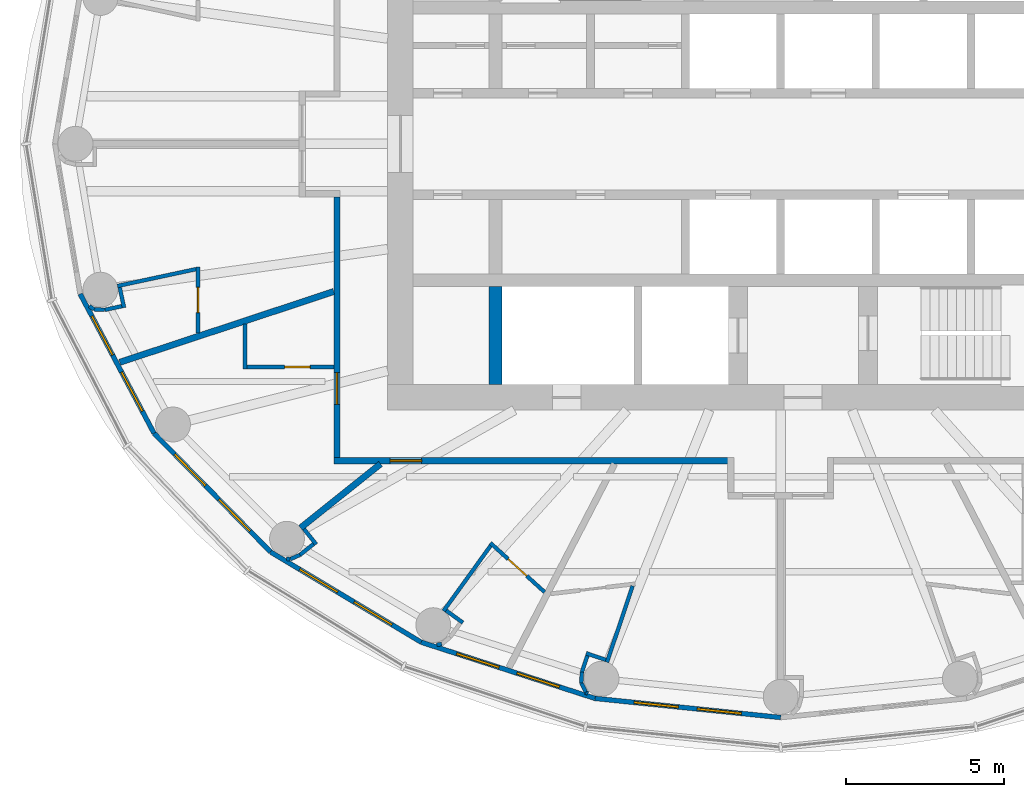
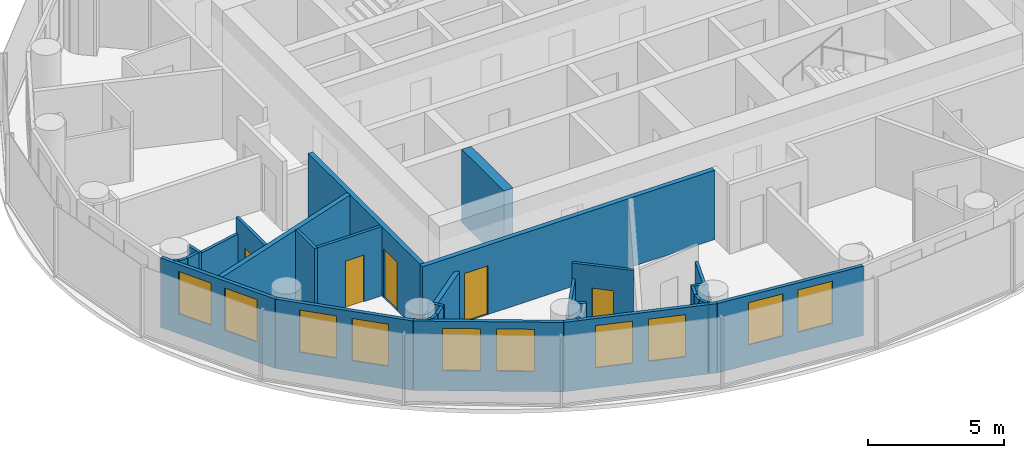
# One storey, part 6 of 13: 32 walls, 10 windows, 5 doors, 15 openings.
"""IFC4 building model written with IfcOpenShell, lengths in metres."""

from ifc_helpers import new_model, si_unit, direction, frame, frame_2d, origin, place, context, subcontext, project, spatial, rectangle, extrude, material, layer, layer_set, type_object, element, fill, save


model = new_model("IFC4")

# Units and contexts
model_context = context("Model", 3, precision=1e-05, world=origin(), true_north=direction((0.0, 1.0)))
body_context = subcontext(model_context, "Body", "Model", "MODEL_VIEW")
ifc_project = project(units=[si_unit("LENGTHUNIT", "METRE"), si_unit("AREAUNIT", "SQUARE_METRE"), si_unit("VOLUMEUNIT", "CUBIC_METRE"), si_unit("PLANEANGLEUNIT", "RADIAN"), si_unit("MASSUNIT", "GRAM", prefix="KILO")], contexts=[model_context])

# Site, building, storey
site_placement = place(None, origin())
site = spatial("IfcSite", under=ifc_project, at=site_placement, CompositionType="ELEMENT")
building_placement = place(site_placement, origin())
building = spatial("IfcBuilding", under=site, at=building_placement, Name="Hankou Lantern Tower", CompositionType="ELEMENT")
storey_placement = place(building_placement, frame((0.0, 0.0, 159.89990234375)))
storey = spatial("IfcBuildingStorey", under=building, at=storey_placement, Name="L42", CompositionType="ELEMENT", Elevation=159.89990234375)

# Wall
ifc_material_1 = material(Name="Concrete C60", Category="concrete")
ifc_layer_1 = layer(ifc_material_1, 0.39990234375)
ifc_layer_set_1 = layer_set([ifc_layer_1], Name="Concrete C60")
wall_type_1 = type_object("IfcWallType", Name="CW4 CORE CROSS WALL 400", PredefinedType="SHEAR", material=ifc_layer_set_1)
wall_1_placement = place(storey_placement, frame((-9.0, -7.60009765625, 0.0), z_axis=(0.0, 0.0, 1.0), x_axis=(0.0, 1.0, 0.0)))
element("IfcWall", 1, at=wall_1_placement, inside=storey, type_object=wall_type_1, Name="Core strip wall L42", PredefinedType="SHEAR", context=body_context, shape_type="SweptSolid", body=[
    extrude(rectangle(XDim=3.10009765625, YDim=0.39990234375, at=frame_2d((1.550048828125, 0.0))), origin(), (0.0, 0.0, 1.0), 3.300048828125),
])

# Wall, openings, windows
ifc_material_2 = material(Name="Aluminium spandrel panel on steel studs", Category="steel")
ifc_layer_2 = layer(ifc_material_2, 0.14990234375)
ifc_layer_set_2 = layer_set([ifc_layer_2], Name="Aluminium spandrel panel on steel studs")
wall_type_2 = type_object("IfcWallType", Name="EW1 INNER SKIN WALL 150", PredefinedType="ELEMENTEDWALL", material=ifc_layer_set_2)
wall_2_placement = place(storey_placement, frame((-22.1015625, -4.73779296875, 0.0), z_axis=(0.0, 0.0, 1.0), x_axis=(0.468428906714, -0.883501193748, 0.0)))
wall_2 = element("IfcWall", 2, at=wall_2_placement, inside=storey, type_object=wall_type_2, Name="Inner skin R14-R15 L42", PredefinedType="ELEMENTEDWALL", context=body_context, shape_type="SweptSolid", body=[
    extrude(rectangle(XDim=4.9736328125, YDim=0.14990234375, at=frame_2d((2.48681640625, 0.0))), origin(), (0.0, 0.0, 1.0), 3.1201171875),
])
opening_1_placement = place(wall_2_placement, frame((0.786865234375, 0.0, 0.89990234375)))
opening_1 = element("IfcOpeningElement", 3, at=opening_1_placement, cuts=wall_2, Name="Opening W3", PredefinedType="OPENING", context=body_context, shape_type="SweptSolid", body=[
    extrude(rectangle(XDim=1.39990234375, YDim=1.89990234375, at=frame_2d((0.699951171875, 0.949951171875))), frame((0.0, 0.0849609375, 0.0), z_axis=(0.0, -1.0, 0.0), x_axis=(1.0, 0.0, 0.0)), (0.0, 0.0, 1.0), 0.169921875),
])
opening_2_placement = place(wall_2_placement, frame((2.786865234375, 0.0, 0.89990234375)))
opening_2 = element("IfcOpeningElement", 4, at=opening_2_placement, cuts=wall_2, Name="Opening W3", PredefinedType="OPENING", context=body_context, shape_type="SweptSolid", body=[
    extrude(rectangle(XDim=1.39990234375, YDim=1.89990234375, at=frame_2d((0.699951171875, 0.949951171875))), frame((0.0, 0.0849609375, 0.0), z_axis=(0.0, -1.0, 0.0), x_axis=(1.0, 0.0, 0.0)), (0.0, 0.0, 1.0), 0.169921875),
])
ifc_material_3 = material(Name="Aluminium framed double glazed window", Category="aluminium")
window_type = type_object("IfcWindowType", Name="W3 GUEST ROOM WINDOW 1400X1900", PartitioningType="DOUBLE_PANEL_VERTICAL", PredefinedType="WINDOW", material=ifc_material_3)
window_1_placement = place(opening_1_placement, origin())
window_1 = element("IfcWindow", 5, at=window_1_placement, inside=storey, type_object=window_type, Name="Window R14.1 L42", OverallHeight=1.89990234375, OverallWidth=1.39990234375, PartitioningType="SINGLE_PANEL", PredefinedType="WINDOW", context=body_context, shape_type="SweptSolid", body=[
    extrude(rectangle(XDim=1.39990234375, YDim=1.89990234375, at=frame_2d((0.699951171875, 0.949951171875))), frame((0.0, 0.030029296875, 0.0), z_axis=(0.0, -1.0, 0.0), x_axis=(1.0, 0.0, 0.0)), (0.0, 0.0, 1.0), 0.06005859375),
])
fill(opening_1, window_1)
window_2_placement = place(opening_2_placement, origin())
window_2 = element("IfcWindow", 6, at=window_2_placement, inside=storey, type_object=window_type, Name="Window R14.2 L42", OverallHeight=1.89990234375, OverallWidth=1.39990234375, PartitioningType="SINGLE_PANEL", PredefinedType="WINDOW", context=body_context, shape_type="SweptSolid", body=[
    extrude(rectangle(XDim=1.39990234375, YDim=1.89990234375, at=frame_2d((0.699951171875, 0.949951171875))), frame((0.0, 0.030029296875, 0.0), z_axis=(0.0, -1.0, 0.0), x_axis=(1.0, 0.0, 0.0)), (0.0, 0.0, 1.0), 0.06005859375),
])
fill(opening_2, window_2)

wall_3_placement = place(storey_placement, frame((-19.771728515625, -9.132080078125, 0.0), z_axis=(0.0, 0.0, 1.0), x_axis=(0.700727467776, -0.71342905457, 0.0)))
wall_3 = element("IfcWall", 7, at=wall_3_placement, inside=storey, type_object=wall_type_2, Name="Inner skin R15-R16 L42", PredefinedType="ELEMENTEDWALL", context=body_context, shape_type="SweptSolid", body=[
    extrude(rectangle(XDim=5.247314453125, YDim=0.14990234375, at=frame_2d((2.62353515625, 0.0))), origin(), (0.0, 0.0, 1.0), 3.1201171875),
])
opening_3_placement = place(wall_3_placement, frame((0.923583984375, 0.0, 0.89990234375)))
opening_3 = element("IfcOpeningElement", 8, at=opening_3_placement, cuts=wall_3, Name="Opening W3", PredefinedType="OPENING", context=body_context, shape_type="SweptSolid", body=[
    extrude(rectangle(XDim=1.39990234375, YDim=1.89990234375, at=frame_2d((0.699951171875, 0.949951171875))), frame((0.0, 0.0849609375, 0.0), z_axis=(0.0, -1.0, 0.0), x_axis=(1.0, 0.0, 0.0)), (0.0, 0.0, 1.0), 0.169921875),
])
opening_4_placement = place(wall_3_placement, frame((2.923583984375, 0.0, 0.89990234375)))
opening_4 = element("IfcOpeningElement", 9, at=opening_4_placement, cuts=wall_3, Name="Opening W3", PredefinedType="OPENING", context=body_context, shape_type="SweptSolid", body=[
    extrude(rectangle(XDim=1.39990234375, YDim=1.89990234375, at=frame_2d((0.699951171875, 0.949951171875))), frame((0.0, 0.0849609375, 0.0), z_axis=(0.0, -1.0, 0.0), x_axis=(1.0, 0.0, 0.0)), (0.0, 0.0, 1.0), 0.169921875),
])
window_3_placement = place(opening_3_placement, origin())
window_3 = element("IfcWindow", 10, at=window_3_placement, inside=storey, type_object=window_type, Name="Window R15.1 L42", OverallHeight=1.89990234375, OverallWidth=1.39990234375, PartitioningType="SINGLE_PANEL", PredefinedType="WINDOW", context=body_context, shape_type="SweptSolid", body=[
    extrude(rectangle(XDim=1.39990234375, YDim=1.89990234375, at=frame_2d((0.699951171875, 0.949951171875))), frame((0.0, 0.030029296875, 0.0), z_axis=(0.0, -1.0, 0.0), x_axis=(1.0, 0.0, 0.0)), (0.0, 0.0, 1.0), 0.06005859375),
])
fill(opening_3, window_3)
window_4_placement = place(opening_4_placement, origin())
window_4 = element("IfcWindow", 11, at=window_4_placement, inside=storey, type_object=window_type, Name="Window R15.2 L42", OverallHeight=1.89990234375, OverallWidth=1.39990234375, PartitioningType="SINGLE_PANEL", PredefinedType="WINDOW", context=body_context, shape_type="SweptSolid", body=[
    extrude(rectangle(XDim=1.39990234375, YDim=1.89990234375, at=frame_2d((0.699951171875, 0.949951171875))), frame((0.0, 0.030029296875, 0.0), z_axis=(0.0, -1.0, 0.0), x_axis=(1.0, 0.0, 0.0)), (0.0, 0.0, 1.0), 0.06005859375),
])
fill(opening_4, window_4)

wall_4_placement = place(storey_placement, frame((-16.0947265625, -12.875732421875, 0.0), z_axis=(0.0, 0.0, 1.0), x_axis=(0.857695199231, -0.514158482587, 0.0)))
wall_4 = element("IfcWall", 12, at=wall_4_placement, inside=storey, type_object=wall_type_2, Name="Inner skin R16-R17 L42", PredefinedType="ELEMENTEDWALL", context=body_context, shape_type="SweptSolid", body=[
    extrude(rectangle(XDim=5.5361328125, YDim=0.14990234375, at=frame_2d((2.76806640625, 0.0))), origin(), (0.0, 0.0, 1.0), 3.1201171875),
])
opening_5_placement = place(wall_4_placement, frame((1.068115234375, 0.0, 0.89990234375)))
opening_5 = element("IfcOpeningElement", 13, at=opening_5_placement, cuts=wall_4, Name="Opening W3", PredefinedType="OPENING", context=body_context, shape_type="SweptSolid", body=[
    extrude(rectangle(XDim=1.39990234375, YDim=1.89990234375, at=frame_2d((0.699951171875, 0.949951171875))), frame((0.0, 0.0849609375, 0.0), z_axis=(0.0, -1.0, 0.0), x_axis=(1.0, 0.0, 0.0)), (0.0, 0.0, 1.0), 0.169921875),
])
opening_6_placement = place(wall_4_placement, frame((3.068115234375, 0.0, 0.89990234375)))
opening_6 = element("IfcOpeningElement", 14, at=opening_6_placement, cuts=wall_4, Name="Opening W3", PredefinedType="OPENING", context=body_context, shape_type="SweptSolid", body=[
    extrude(rectangle(XDim=1.39990234375, YDim=1.89990234375, at=frame_2d((0.699951171875, 0.949951171875))), frame((0.0, 0.0849609375, 0.0), z_axis=(0.0, -1.0, 0.0), x_axis=(1.0, 0.0, 0.0)), (0.0, 0.0, 1.0), 0.169921875),
])
window_5_placement = place(opening_5_placement, origin())
window_5 = element("IfcWindow", 15, at=window_5_placement, inside=storey, type_object=window_type, Name="Window R16.1 L42", OverallHeight=1.89990234375, OverallWidth=1.39990234375, PartitioningType="SINGLE_PANEL", PredefinedType="WINDOW", context=body_context, shape_type="SweptSolid", body=[
    extrude(rectangle(XDim=1.39990234375, YDim=1.89990234375, at=frame_2d((0.699951171875, 0.949951171875))), frame((0.0, 0.030029296875, 0.0), z_axis=(0.0, -1.0, 0.0), x_axis=(1.0, 0.0, 0.0)), (0.0, 0.0, 1.0), 0.06005859375),
])
fill(opening_5, window_5)
window_6_placement = place(opening_6_placement, origin())
window_6 = element("IfcWindow", 16, at=window_6_placement, inside=storey, type_object=window_type, Name="Window R16.2 L42", OverallHeight=1.89990234375, OverallWidth=1.39990234375, PartitioningType="SINGLE_PANEL", PredefinedType="WINDOW", context=body_context, shape_type="SweptSolid", body=[
    extrude(rectangle(XDim=1.39990234375, YDim=1.89990234375, at=frame_2d((0.699951171875, 0.949951171875))), frame((0.0, 0.030029296875, 0.0), z_axis=(0.0, -1.0, 0.0), x_axis=(1.0, 0.0, 0.0)), (0.0, 0.0, 1.0), 0.06005859375),
])
fill(opening_6, window_6)

wall_5_placement = place(storey_placement, frame((-11.346435546875, -15.72216796875, 0.0), z_axis=(0.0, 0.0, 1.0), x_axis=(0.951432482129, -0.307857486429, 0.0)))
wall_5 = element("IfcWall", 17, at=wall_5_placement, inside=storey, type_object=wall_type_2, Name="Inner skin R17-R18 L42", PredefinedType="ELEMENTEDWALL", context=body_context, shape_type="SweptSolid", body=[
    extrude(rectangle(XDim=5.76611328125, YDim=0.14990234375, at=frame_2d((2.883056640625, 0.0))), origin(), (0.0, 0.0, 1.0), 3.1201171875),
])
opening_7_placement = place(wall_5_placement, frame((1.18310546875, 0.0, 0.89990234375)))
opening_7 = element("IfcOpeningElement", 18, at=opening_7_placement, cuts=wall_5, Name="Opening W3", PredefinedType="OPENING", context=body_context, shape_type="SweptSolid", body=[
    extrude(rectangle(XDim=1.39990234375, YDim=1.89990234375, at=frame_2d((0.699951171875, 0.949951171875))), frame((0.0, 0.0849609375, 0.0), z_axis=(0.0, -1.0, 0.0), x_axis=(1.0, 0.0, 0.0)), (0.0, 0.0, 1.0), 0.169921875),
])
opening_8_placement = place(wall_5_placement, frame((3.18310546875, 0.0, 0.89990234375)))
opening_8 = element("IfcOpeningElement", 19, at=opening_8_placement, cuts=wall_5, Name="Opening W3", PredefinedType="OPENING", context=body_context, shape_type="SweptSolid", body=[
    extrude(rectangle(XDim=1.39990234375, YDim=1.89990234375, at=frame_2d((0.699951171875, 0.949951171875))), frame((0.0, 0.0849609375, 0.0), z_axis=(0.0, -1.0, 0.0), x_axis=(1.0, 0.0, 0.0)), (0.0, 0.0, 1.0), 0.169921875),
])
window_7_placement = place(opening_7_placement, origin())
window_7 = element("IfcWindow", 20, at=window_7_placement, inside=storey, type_object=window_type, Name="Window R17.1 L42", OverallHeight=1.89990234375, OverallWidth=1.39990234375, PartitioningType="SINGLE_PANEL", PredefinedType="WINDOW", context=body_context, shape_type="SweptSolid", body=[
    extrude(rectangle(XDim=1.39990234375, YDim=1.89990234375, at=frame_2d((0.699951171875, 0.949951171875))), frame((0.0, 0.030029296875, 0.0), z_axis=(0.0, -1.0, 0.0), x_axis=(1.0, 0.0, 0.0)), (0.0, 0.0, 1.0), 0.06005859375),
])
fill(opening_7, window_7)
window_8_placement = place(opening_8_placement, origin())
window_8 = element("IfcWindow", 21, at=window_8_placement, inside=storey, type_object=window_type, Name="Window R17.2 L42", OverallHeight=1.89990234375, OverallWidth=1.39990234375, PartitioningType="SINGLE_PANEL", PredefinedType="WINDOW", context=body_context, shape_type="SweptSolid", body=[
    extrude(rectangle(XDim=1.39990234375, YDim=1.89990234375, at=frame_2d((0.699951171875, 0.949951171875))), frame((0.0, 0.030029296875, 0.0), z_axis=(0.0, -1.0, 0.0), x_axis=(1.0, 0.0, 0.0)), (0.0, 0.0, 1.0), 0.06005859375),
])
fill(opening_8, window_8)

wall_6_placement = place(storey_placement, frame((-5.8603515625, -17.497314453125, 0.0), z_axis=(0.0, 0.0, 1.0), x_axis=(0.994751738032, -0.102318032045, 0.0)))
wall_6 = element("IfcWall", 22, at=wall_6_placement, inside=storey, type_object=wall_type_2, Name="Inner skin R18-R19 L42", PredefinedType="ELEMENTEDWALL", context=body_context, shape_type="SweptSolid", body=[
    extrude(rectangle(XDim=5.891357421875, YDim=0.14990234375, at=frame_2d((2.94580078125, 0.0))), origin(), (0.0, 0.0, 1.0), 3.1201171875),
])
opening_9_placement = place(wall_6_placement, frame((1.24560546875, 0.0, 0.89990234375)))
opening_9 = element("IfcOpeningElement", 23, at=opening_9_placement, cuts=wall_6, Name="Opening W3", PredefinedType="OPENING", context=body_context, shape_type="SweptSolid", body=[
    extrude(rectangle(XDim=1.39990234375, YDim=1.89990234375, at=frame_2d((0.699951171875, 0.949951171875))), frame((0.0, 0.0849609375, 0.0), z_axis=(0.0, -1.0, 0.0), x_axis=(1.0, 0.0, 0.0)), (0.0, 0.0, 1.0), 0.169921875),
])
opening_10_placement = place(wall_6_placement, frame((3.24560546875, 0.0, 0.89990234375)))
opening_10 = element("IfcOpeningElement", 24, at=opening_10_placement, cuts=wall_6, Name="Opening W3", PredefinedType="OPENING", context=body_context, shape_type="SweptSolid", body=[
    extrude(rectangle(XDim=1.39990234375, YDim=1.89990234375, at=frame_2d((0.699951171875, 0.949951171875))), frame((0.0, 0.0849609375, 0.0), z_axis=(0.0, -1.0, 0.0), x_axis=(1.0, 0.0, 0.0)), (0.0, 0.0, 1.0), 0.169921875),
])
window_9_placement = place(opening_9_placement, origin())
window_9 = element("IfcWindow", 25, at=window_9_placement, inside=storey, type_object=window_type, Name="Window R18.1 L42", OverallHeight=1.89990234375, OverallWidth=1.39990234375, PartitioningType="SINGLE_PANEL", PredefinedType="WINDOW", context=body_context, shape_type="SweptSolid", body=[
    extrude(rectangle(XDim=1.39990234375, YDim=1.89990234375, at=frame_2d((0.699951171875, 0.949951171875))), frame((0.0, 0.030029296875, 0.0), z_axis=(0.0, -1.0, 0.0), x_axis=(1.0, 0.0, 0.0)), (0.0, 0.0, 1.0), 0.06005859375),
])
fill(opening_9, window_9)
window_10_placement = place(opening_10_placement, origin())
window_10 = element("IfcWindow", 26, at=window_10_placement, inside=storey, type_object=window_type, Name="Window R18.2 L42", OverallHeight=1.89990234375, OverallWidth=1.39990234375, PartitioningType="SINGLE_PANEL", PredefinedType="WINDOW", context=body_context, shape_type="SweptSolid", body=[
    extrude(rectangle(XDim=1.39990234375, YDim=1.89990234375, at=frame_2d((0.699951171875, 0.949951171875))), frame((0.0, 0.030029296875, 0.0), z_axis=(0.0, -1.0, 0.0), x_axis=(1.0, 0.0, 0.0)), (0.0, 0.0, 1.0), 0.06005859375),
])
fill(opening_10, window_10)

# Walls
ifc_material_4 = material(Name="Masonry lightweight concrete block", Category="masonry")
ifc_layer_3 = layer(ifc_material_4, 0.199951171875)
ifc_layer_set_3 = layer_set([ifc_layer_3], Name="Masonry lightweight concrete block")
wall_type_3 = type_object("IfcWallType", Name="IW1 GUEST ROOM PARTY WALL 200", PredefinedType="PARTITIONING", material=ifc_layer_set_3)
wall_7_placement = place(storey_placement, frame((-14.10009765625, -4.661376953125, 0.0), z_axis=(0.0, 0.0, 1.0), x_axis=(-0.949453216399, -0.313908569285, 0.0)))
element("IfcWall", 27, at=wall_7_placement, inside=storey, type_object=wall_type_3, Name="Party wall R14-R15", PredefinedType="PARTITIONING", context=body_context, shape_type="SweptSolid", body=[
    extrude(rectangle(XDim=7.108642578125, YDim=0.199951171875, at=frame_2d((3.55419921875, 0.0))), origin(), (0.0, 0.0, 1.0), 3.1201171875),
])
wall_8_placement = place(storey_placement, frame((-12.625, -10.10009765625, 0.0), z_axis=(0.0, 0.0, 1.0), x_axis=(-0.780876185034, -0.624685827954, 0.0)))
element("IfcWall", 28, at=wall_8_placement, inside=storey, type_object=wall_type_3, Name="Party wall R16", PredefinedType="PARTITIONING", context=body_context, shape_type="SweptSolid", body=[
    extrude(rectangle(XDim=3.229248046875, YDim=0.199951171875, at=frame_2d((1.61474609375, 0.0))), origin(), (0.0, 0.0, 1.0), 2.420166015625),
])

# Wall, opening, door
ifc_material_5 = material(Name="Masonry lightweight concrete block", Category="masonry")
ifc_layer_4 = layer(ifc_material_5, 0.199951171875)
ifc_layer_set_4 = layer_set([ifc_layer_4], Name="Masonry lightweight concrete block")
wall_type_4 = type_object("IfcWallType", Name="IW2 CORRIDOR WALL 200", PredefinedType="PARTITIONING", material=ifc_layer_set_4)
wall_9_placement = place(storey_placement, frame((-14.0, -1.669921875, 0.0), z_axis=(0.0, 0.0, 1.0), x_axis=(0.0, -1.0, 0.0)))
wall_9 = element("IfcWall", 29, at=wall_9_placement, inside=storey, type_object=wall_type_4, Name="Corridor wall west", PredefinedType="PARTITIONING", context=body_context, shape_type="SweptSolid", body=[
    extrude(rectangle(XDim=8.22998046875, YDim=0.199951171875, at=frame_2d((4.114990234375, 0.0))), origin(), (0.0, 0.0, 1.0), 3.1201171875),
])
opening_11_placement = place(wall_9_placement, frame((5.551513671875, 0.0, 0.0)))
opening_11 = element("IfcOpeningElement", 30, at=opening_11_placement, cuts=wall_9, Name="Opening D1", PredefinedType="OPENING", context=body_context, shape_type="SweptSolid", body=[
    extrude(rectangle(XDim=1.0, YDim=2.199951171875, at=frame_2d((0.5, 1.10009765625))), frame((0.0, 0.10986328125, 0.0), z_axis=(0.0, -1.0, 0.0), x_axis=(1.0, 0.0, 0.0)), (0.0, 0.0, 1.0), 0.219970703125),
])
ifc_material_6 = material(Name="Steel door leaf", Category="steel")
door_type_1 = type_object("IfcDoorType", Name="D1 GUEST ROOM DOOR 1000X2200", OperationType="SINGLE_SWING_LEFT", PredefinedType="DOOR", material=ifc_material_6)
door_1_placement = place(opening_11_placement, origin())
door_1 = element("IfcDoor", 31, at=door_1_placement, inside=storey, type_object=door_type_1, Name="Guest room door 4205", OperationType="SINGLE_SWING_RIGHT", OverallHeight=2.199951171875, OverallWidth=1.0, PredefinedType="DOOR", context=body_context, shape_type="SweptSolid", body=[
    extrude(rectangle(XDim=1.0, YDim=2.199951171875, at=frame_2d((0.5, 1.10009765625))), frame((0.0, 0.02490234375, 0.0), z_axis=(0.0, -1.0, 0.0), x_axis=(1.0, 0.0, 0.0)), (0.0, 0.0, 1.0), 0.050048828125),
])
fill(opening_11, door_1)

wall_10_placement = place(storey_placement, frame((-1.669921875, -10.0, 0.0), z_axis=(0.0, 0.0, 1.0), x_axis=(-1.0, 0.0, 0.0)))
wall_10 = element("IfcWall", 32, at=wall_10_placement, inside=storey, type_object=wall_type_4, Name="Corridor wall south", PredefinedType="PARTITIONING", context=body_context, shape_type="SweptSolid", body=[
    extrude(rectangle(XDim=12.43017578125, YDim=0.199951171875, at=frame_2d((6.215087890625, 0.0))), origin(), (0.0, 0.0, 1.0), 3.1201171875),
])
opening_12_placement = place(wall_10_placement, frame((9.655029296875, 0.0, 0.0)))
opening_12 = element("IfcOpeningElement", 33, at=opening_12_placement, cuts=wall_10, Name="Opening D1", PredefinedType="OPENING", context=body_context, shape_type="SweptSolid", body=[
    extrude(rectangle(XDim=1.0, YDim=2.199951171875, at=frame_2d((0.5, 1.10009765625))), frame((0.0, 0.10986328125, 0.0), z_axis=(0.0, -1.0, 0.0), x_axis=(1.0, 0.0, 0.0)), (0.0, 0.0, 1.0), 0.219970703125),
])
door_2_placement = place(opening_12_placement, origin())
door_2 = element("IfcDoor", 34, at=door_2_placement, inside=storey, type_object=door_type_1, Name="Guest room door 4206", OperationType="SINGLE_SWING_LEFT", OverallHeight=2.199951171875, OverallWidth=1.0, PredefinedType="DOOR", context=body_context, shape_type="SweptSolid", body=[
    extrude(rectangle(XDim=1.0, YDim=2.199951171875, at=frame_2d((0.5, 1.10009765625))), frame((0.0, 0.02490234375, 0.0), z_axis=(0.0, -1.0, 0.0), x_axis=(1.0, 0.0, 0.0)), (0.0, 0.0, 1.0), 0.050048828125),
])
fill(opening_12, door_2)

ifc_material_7 = material(Name="Masonry lightweight concrete block", Category="masonry")
ifc_layer_5 = layer(ifc_material_7, 0.1201171875)
ifc_layer_set_5 = layer_set([ifc_layer_5], Name="Masonry lightweight concrete block")
wall_type_5 = type_object("IfcWallType", Name="IW3 BATHROOM WALL 120", PredefinedType="PARTITIONING", material=ifc_layer_set_5)
wall_11_placement = place(storey_placement, frame((-18.380859375, -5.971435546875, 0.0), z_axis=(0.0, 0.0, 1.0), x_axis=(-0.000934142516, 0.999999563689, 0.0)))
wall_11 = element("IfcWall", 35, at=wall_11_placement, inside=storey, type_object=wall_type_5, Name="Box wall 4204 1", PredefinedType="PARTITIONING", context=body_context, shape_type="SweptSolid", body=[
    extrude(rectangle(XDim=2.0908203125, YDim=0.1201171875, at=frame_2d((1.04541015625, 0.0))), origin(), (0.0, 0.0, 1.0), 3.1201171875),
])
opening_13_placement = place(wall_11_placement, frame((0.6455078125, 0.0, 0.0)))
opening_13 = element("IfcOpeningElement", 36, at=opening_13_placement, cuts=wall_11, Name="Opening D3", PredefinedType="OPENING", context=body_context, shape_type="SweptSolid", body=[
    extrude(rectangle(XDim=0.800048828125, YDim=2.10009765625, at=frame_2d((0.39990234375, 1.050048828125))), frame((0.0, 0.070068359375, 0.0), z_axis=(0.0, -1.0, 0.0), x_axis=(1.0, 0.0, 0.0)), (0.0, 0.0, 1.0), 0.14013671875),
])
ifc_material_8 = material(Name="Timber door leaf", Category="wood")
door_type_2 = type_object("IfcDoorType", Name="D3 BATHROOM DOOR 800X2100", OperationType="SINGLE_SWING_LEFT", PredefinedType="DOOR", material=ifc_material_8)
door_3_placement = place(opening_13_placement, origin())
door_3 = element("IfcDoor", 37, at=door_3_placement, inside=storey, type_object=door_type_2, Name="En-suite bathroom 4204 door", OperationType="SINGLE_SWING_RIGHT", OverallHeight=2.10009765625, OverallWidth=0.800048828125, PredefinedType="DOOR", context=body_context, shape_type="SweptSolid", body=[
    extrude(rectangle(XDim=0.800048828125, YDim=2.10009765625, at=frame_2d((0.39990234375, 1.050048828125))), frame((0.0, 0.02490234375, 0.0), z_axis=(0.0, -1.0, 0.0), x_axis=(1.0, 0.0, 0.0)), (0.0, 0.0, 1.0), 0.050048828125),
])
fill(opening_13, door_3)

# Walls
wall_12_placement = place(storey_placement, frame((-18.44140625, -3.953125, 0.0), z_axis=(0.0, 0.0, 1.0), x_axis=(-0.977801007461, -0.209535652833, 0.0)))
element("IfcWall", 38, at=wall_12_placement, inside=storey, type_object=wall_type_5, Name="Box wall 4204 2", PredefinedType="PARTITIONING", context=body_context, shape_type="SweptSolid", body=[
    extrude(rectangle(XDim=2.5400390625, YDim=0.1201171875, at=frame_2d((1.27001953125, 0.0))), origin(), (0.0, 0.0, 1.0), 2.420166015625),
])
wall_13_placement = place(storey_placement, frame((-20.853759765625, -4.531494140625, 0.0), z_axis=(0.0, 0.0, 1.0), x_axis=(0.209631346779, -0.977780496046, 0.0)))
element("IfcWall", 39, at=wall_13_placement, inside=storey, type_object=wall_type_5, Name="Column casing 4204 return", PredefinedType="PARTITIONING", context=body_context, shape_type="SweptSolid", body=[
    extrude(rectangle(XDim=0.652099609375, YDim=0.1201171875, at=frame_2d((0.326171875, 0.0))), origin(), (0.0, 0.0, 1.0), 3.1201171875),
])
wall_14_placement = place(storey_placement, frame((-20.788330078125, -5.123291015625, 0.0), z_axis=(0.0, 0.0, 1.0), x_axis=(-0.977789415726, -0.209589738521, 0.0)))
element("IfcWall", 40, at=wall_14_placement, inside=storey, type_object=wall_type_5, Name="Column casing 4204", PredefinedType="PARTITIONING", context=body_context, shape_type="SweptSolid", body=[
    extrude(rectangle(XDim=0.5498046875, YDim=0.1201171875, at=frame_2d((0.27490234375, 0.0))), origin(), (0.0, 0.0, 1.0), 3.1201171875),
])
wall_15_placement = place(storey_placement, frame((-21.325927734375, -5.238525390625, 0.0), z_axis=(0.0, 0.0, 1.0), x_axis=(-0.998719689441, 0.050586380797, 0.0)))
element("IfcWall", 41, at=wall_15_placement, inside=storey, type_object=wall_type_5, Name="Column casing 4204", PredefinedType="PARTITIONING", context=body_context, shape_type="SweptSolid", body=[
    extrude(rectangle(XDim=0.337890625, YDim=0.1201171875, at=frame_2d((0.1689453125, 0.0))), origin(), (0.0, 0.0, 1.0), 3.1201171875),
])
wall_16_placement = place(storey_placement, frame((-21.663330078125, -5.221435546875, 0.0), z_axis=(0.0, 0.0, 1.0), x_axis=(-0.839279022252, 0.543700949795, 0.0)))
element("IfcWall", 42, at=wall_16_placement, inside=storey, type_object=wall_type_5, Name="Column casing 4204", PredefinedType="PARTITIONING", context=body_context, shape_type="SweptSolid", body=[
    extrude(rectangle(XDim=0.18017578125, YDim=0.1201171875, at=frame_2d((0.090087890625, 0.0))), origin(), (0.0, 0.0, 1.0), 3.1201171875),
])
wall_17_placement = place(storey_placement, frame((-16.89990234375, -5.687255859375, 0.0), z_axis=(0.0, 0.0, 1.0), x_axis=(0.0, -1.0, 0.0)))
element("IfcWall", 43, at=wall_17_placement, inside=storey, type_object=wall_type_5, Name="Box wall 4205 1", PredefinedType="PARTITIONING", context=body_context, shape_type="SweptSolid", body=[
    extrude(rectangle(XDim=1.414306640625, YDim=0.1201171875, at=frame_2d((0.70703125, 0.0))), origin(), (0.0, 0.0, 1.0), 3.1201171875),
])

# Wall, opening, door
wall_18_placement = place(storey_placement, frame((-14.10009765625, -7.04150390625, 0.0), z_axis=(0.0, 0.0, 1.0), x_axis=(-1.0, 0.0, 0.0)))
wall_18 = element("IfcWall", 44, at=wall_18_placement, inside=storey, type_object=wall_type_5, Name="Box wall 4205 1", PredefinedType="PARTITIONING", context=body_context, shape_type="SweptSolid", body=[
    extrude(rectangle(XDim=2.739990234375, YDim=0.1201171875, at=frame_2d((1.3701171875, 0.0))), origin(), (0.0, 0.0, 1.0), 3.1201171875),
])
opening_14_placement = place(wall_18_placement, frame((0.75, 0.0, 0.0)))
opening_14 = element("IfcOpeningElement", 45, at=opening_14_placement, cuts=wall_18, Name="Opening D3", PredefinedType="OPENING", context=body_context, shape_type="SweptSolid", body=[
    extrude(rectangle(XDim=0.800048828125, YDim=2.10009765625, at=frame_2d((0.39990234375, 1.050048828125))), frame((0.0, 0.070068359375, 0.0), z_axis=(0.0, -1.0, 0.0), x_axis=(1.0, 0.0, 0.0)), (0.0, 0.0, 1.0), 0.14013671875),
])
door_4_placement = place(opening_14_placement, origin())
door_4 = element("IfcDoor", 46, at=door_4_placement, inside=storey, type_object=door_type_2, Name="En-suite bathroom 4205 door", OperationType="SINGLE_SWING_LEFT", OverallHeight=2.10009765625, OverallWidth=0.800048828125, PredefinedType="DOOR", context=body_context, shape_type="SweptSolid", body=[
    extrude(rectangle(XDim=0.800048828125, YDim=2.10009765625, at=frame_2d((0.39990234375, 1.050048828125))), frame((0.0, 0.02490234375, 0.0), z_axis=(0.0, -1.0, 0.0), x_axis=(1.0, 0.0, 0.0)), (0.0, 0.0, 1.0), 0.050048828125),
])
fill(opening_14, door_4)

wall_19_placement = place(storey_placement, frame((-7.44970703125, -14.1416015625, 0.0), z_axis=(0.0, 0.0, 1.0), x_axis=(-0.74113984586, 0.671350675041, 0.0)))
wall_19 = element("IfcWall", 47, at=wall_19_placement, inside=storey, type_object=wall_type_5, Name="Box wall 4206 1", PredefinedType="PARTITIONING", context=body_context, shape_type="SweptSolid", body=[
    extrude(rectangle(XDim=2.308837890625, YDim=0.1201171875, at=frame_2d((1.154296875, 0.0))), origin(), (0.0, 0.0, 1.0), 3.1201171875),
])
opening_15_placement = place(wall_19_placement, frame((0.75439453125, 0.0, 0.0)))
opening_15 = element("IfcOpeningElement", 48, at=opening_15_placement, cuts=wall_19, Name="Opening D3", PredefinedType="OPENING", context=body_context, shape_type="SweptSolid", body=[
    extrude(rectangle(XDim=0.800048828125, YDim=2.10009765625, at=frame_2d((0.39990234375, 1.050048828125))), frame((0.0, 0.070068359375, 0.0), z_axis=(0.0, -1.0, 0.0), x_axis=(1.0, 0.0, 0.0)), (0.0, 0.0, 1.0), 0.14013671875),
])
door_5_placement = place(opening_15_placement, origin())
door_5 = element("IfcDoor", 49, at=door_5_placement, inside=storey, type_object=door_type_2, Name="En-suite bathroom 4206 door", OperationType="SINGLE_SWING_RIGHT", OverallHeight=2.10009765625, OverallWidth=0.800048828125, PredefinedType="DOOR", context=body_context, shape_type="SweptSolid", body=[
    extrude(rectangle(XDim=0.800048828125, YDim=2.10009765625, at=frame_2d((0.39990234375, 1.050048828125))), frame((0.0, 0.02490234375, 0.0), z_axis=(0.0, -1.0, 0.0), x_axis=(1.0, 0.0, 0.0)), (0.0, 0.0, 1.0), 0.050048828125),
])
fill(opening_15, door_5)

# Walls
wall_20_placement = place(storey_placement, frame((-9.1513671875, -12.6806640625, 0.0), z_axis=(0.0, 0.0, 1.0), x_axis=(-0.585258912334, -0.8108464747, 0.0)))
element("IfcWall", 50, at=wall_20_placement, inside=storey, type_object=wall_type_5, Name="Box wall 4206 2", PredefinedType="PARTITIONING", context=body_context, shape_type="SweptSolid", body=[
    extrude(rectangle(XDim=2.5400390625, YDim=0.1201171875, at=frame_2d((1.27001953125, 0.0))), origin(), (0.0, 0.0, 1.0), 2.420166015625),
])
wall_21_placement = place(storey_placement, frame((-10.55419921875, -14.726806640625, 0.0), z_axis=(0.0, 0.0, 1.0), x_axis=(0.811044231224, -0.584984833135, 0.0)))
element("IfcWall", 51, at=wall_21_placement, inside=storey, type_object=wall_type_5, Name="Column casing 4206 return", PredefinedType="PARTITIONING", context=body_context, shape_type="SweptSolid", body=[
    extrude(rectangle(XDim=0.65234375, YDim=0.1201171875, at=frame_2d((0.326171875, 0.0))), origin(), (0.0, 0.0, 1.0), 3.1201171875),
])
wall_22_placement = place(storey_placement, frame((-10.692626953125, -15.78125, 0.0), z_axis=(0.0, 0.0, 1.0), x_axis=(-0.987256785332, -0.159135287777, 0.0)))
element("IfcWall", 52, at=wall_22_placement, inside=storey, type_object=wall_type_5, Name="Column casing 4206", PredefinedType="PARTITIONING", context=body_context, shape_type="SweptSolid", body=[
    extrude(rectangle(XDim=0.157958984375, YDim=0.1201171875, at=frame_2d((0.0791015625, 0.0))), origin(), (0.0, 0.0, 1.0), 3.1201171875),
])
wall_23_placement = place(storey_placement, frame((-4.67138671875, -13.947509765625, 0.0), z_axis=(0.0, 0.0, 1.0), x_axis=(-0.317669167093, -0.948201613729, 0.0)))
element("IfcWall", 53, at=wall_23_placement, inside=storey, type_object=wall_type_5, Name="Box wall 4207 2", PredefinedType="PARTITIONING", context=body_context, shape_type="SweptSolid", body=[
    extrude(rectangle(XDim=2.5400390625, YDim=0.1201171875, at=frame_2d((1.27001953125, 0.0))), origin(), (0.0, 0.0, 1.0), 2.420166015625),
])
wall_24_placement = place(storey_placement, frame((-5.51611328125, -16.280029296875, 0.0), z_axis=(0.0, 0.0, 1.0), x_axis=(-0.948157944392, 0.317799484717, 0.0)))
element("IfcWall", 54, at=wall_24_placement, inside=storey, type_object=wall_type_5, Name="Column casing 4207 return", PredefinedType="PARTITIONING", context=body_context, shape_type="SweptSolid", body=[
    extrude(rectangle(XDim=0.652099609375, YDim=0.1201171875, at=frame_2d((0.326171875, 0.0))), origin(), (0.0, 0.0, 1.0), 3.1201171875),
])
wall_25_placement = place(storey_placement, frame((-6.0966796875, -16.148681640625, 0.0), z_axis=(0.0, 0.0, 1.0), x_axis=(-0.317292604854, -0.948327687514, 0.0)))
element("IfcWall", 55, at=wall_25_placement, inside=storey, type_object=wall_type_5, Name="Column casing 4207", PredefinedType="PARTITIONING", context=body_context, shape_type="SweptSolid", body=[
    extrude(rectangle(XDim=0.550048828125, YDim=0.1201171875, at=frame_2d((0.27490234375, 0.0))), origin(), (0.0, 0.0, 1.0), 3.1201171875),
])
for number, where, z_axis, x_axis, name in (
    (56, (-6.271240234375, -16.67041015625, 0.0), (0.0, 0.0, 1.0), (-0.061477694849, -0.998108457552, 0.0), "Column casing 4207"),
    (57, (-6.2919921875, -17.00732421875, 0.0), (0.0, 0.0, 1.0), (0.445477128334, -0.895293319606, 0.0), "Column casing 4207"),
):
    element("IfcWall", number, at=place(storey_placement, frame(where, z_axis=z_axis, x_axis=x_axis)), inside=storey, type_object=wall_type_5, Name=name, PredefinedType="PARTITIONING", context=body_context, shape_type="SweptSolid", body=[
        extrude(rectangle(XDim=0.337646484375, YDim=0.1201171875, at=frame_2d((0.1689453125, 0.0))), origin(), (0.0, 0.0, 1.0), 3.1201171875),
    ])
wall_26_placement = place(storey_placement, frame((-6.1416015625, -17.3095703125, 0.0), z_axis=(0.0, 0.0, 1.0), x_axis=(0.835039693181, -0.550189704386, 0.0)))
element("IfcWall", 58, at=wall_26_placement, inside=storey, type_object=wall_type_5, Name="Column casing 4207", PredefinedType="PARTITIONING", context=body_context, shape_type="SweptSolid", body=[
    extrude(rectangle(XDim=0.0625, YDim=0.1201171875, at=frame_2d((0.03125, 0.0))), origin(), (0.0, 0.0, 1.0), 3.1201171875),
])
ifc_material_9 = material(Name="Masonry lightweight concrete block", Category="masonry")
ifc_layer_6 = layer(ifc_material_9, 0.1201171875)
ifc_layer_set_6 = layer_set([ifc_layer_6], Name="Masonry lightweight concrete block")
wall_type_6 = type_object("IfcWallType", Name="IW4 PARTITION 120", PredefinedType="PARTITIONING", material=ifc_layer_set_6)
wall_27_placement = place(storey_placement, frame((-15.037353515625, -12.157958984375, 0.0), z_axis=(0.0, 0.0, 1.0), x_axis=(0.624840920722, -0.78075208856, 0.0)))
element("IfcWall", 59, at=wall_27_placement, inside=storey, type_object=wall_type_6, Name="Column casing R16 return", PredefinedType="PARTITIONING", context=body_context, shape_type="SweptSolid", body=[
    extrude(rectangle(XDim=0.6123046875, YDim=0.1201171875, at=frame_2d((0.30615234375, 0.0))), origin(), (0.0, 0.0, 1.0), 3.1201171875),
])
wall_28_placement = place(storey_placement, frame((-14.7392578125, -12.626708984375, 0.0), z_axis=(0.0, 0.0, 1.0), x_axis=(-0.780912119987, -0.624640905527, 0.0)))
element("IfcWall", 60, at=wall_28_placement, inside=storey, type_object=wall_type_6, Name="Column casing R16", PredefinedType="PARTITIONING", context=body_context, shape_type="SweptSolid", body=[
    extrude(rectangle(XDim=0.5498046875, YDim=0.1201171875, at=frame_2d((0.27490234375, 0.0))), origin(), (0.0, 0.0, 1.0), 3.1201171875),
])
wall_29_placement = place(storey_placement, frame((-15.168701171875, -12.97021484375, 0.0), z_axis=(0.0, 0.0, 1.0), x_axis=(-0.915974725257, -0.401235968838, 0.0)))
element("IfcWall", 61, at=wall_29_placement, inside=storey, type_object=wall_type_6, Name="Column casing R16", PredefinedType="PARTITIONING", context=body_context, shape_type="SweptSolid", body=[
    extrude(rectangle(XDim=0.337646484375, YDim=0.1201171875, at=frame_2d((0.1689453125, 0.0))), origin(), (0.0, 0.0, 1.0), 3.1201171875),
])
wall_30_placement = place(storey_placement, frame((-15.47802734375, -13.105712890625, 0.0), z_axis=(0.0, 0.0, 1.0), x_axis=(-0.993778813557, 0.111371763588, 0.0)))
element("IfcWall", 62, at=wall_30_placement, inside=storey, type_object=wall_type_6, Name="Column casing R16", PredefinedType="PARTITIONING", context=body_context, shape_type="SweptSolid", body=[
    extrude(rectangle(XDim=0.114013671875, YDim=0.1201171875, at=frame_2d((0.05712890625, 0.0))), origin(), (0.0, 0.0, 1.0), 3.1201171875),
])

save(model, "model.ifc")
